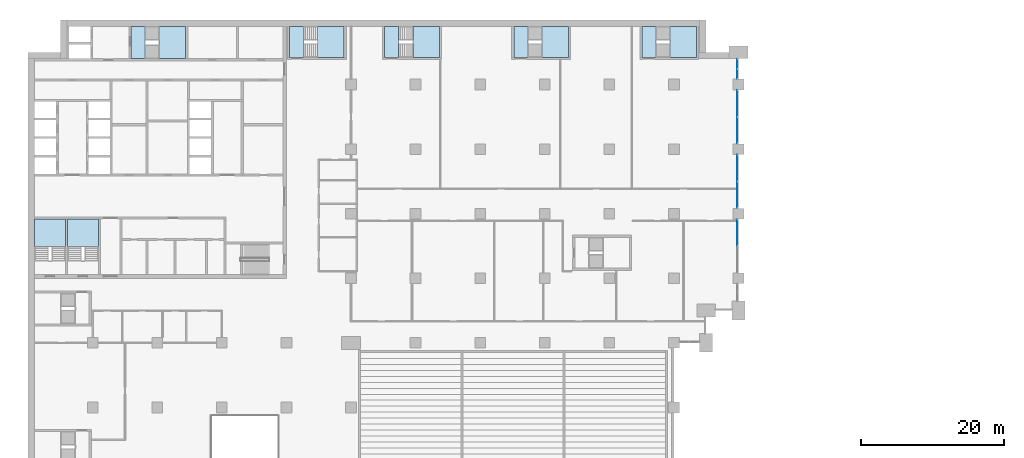
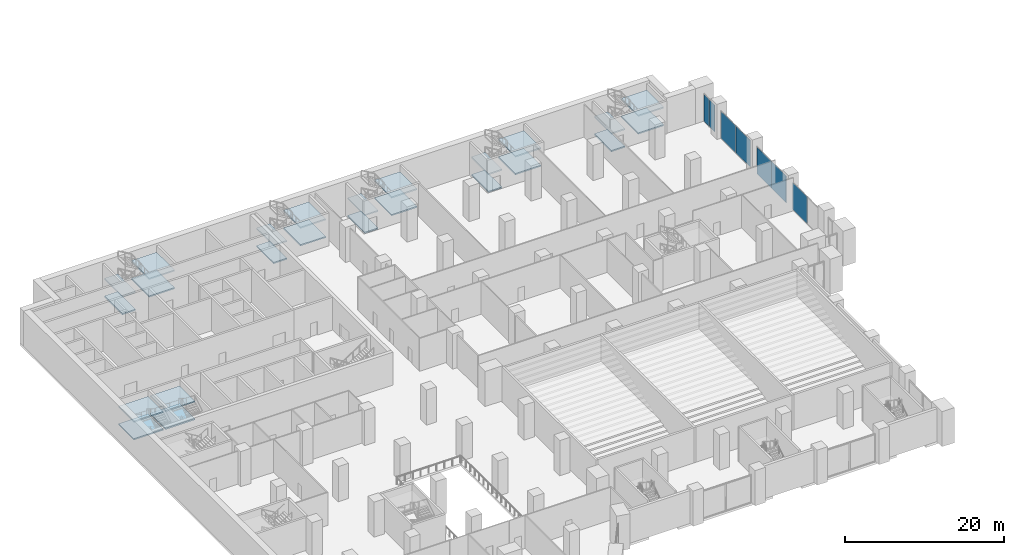
# One storey, part 13 of 44: 24 slabs, 7 plates, 11 elements without a shape of their own.
"""IFC4 building model written with IfcOpenShell, lengths in metres."""

from ifc_helpers import new_model, si_unit, direction, frame, origin, origin_2d, place, context, subcontext, project, spatial, polyline, rectangle, outline, extrude, material, layer, layer_set, type_object, element, aggregate, save


model = new_model("IFC4")

# Units and contexts
model_context = context("Model", 3, precision=1e-05, world=origin(), true_north=direction((0.0, 1.0)))
body_context = subcontext(model_context, "Body", "Model", "MODEL_VIEW")
ifc_project = project(units=[si_unit("LENGTHUNIT", "METRE"), si_unit("AREAUNIT", "SQUARE_METRE"), si_unit("VOLUMEUNIT", "CUBIC_METRE"), si_unit("PLANEANGLEUNIT", "RADIAN"), si_unit("MASSUNIT", "GRAM", prefix="KILO")], contexts=[model_context])

# Site, building, storey
site_placement = place(None, origin())
site = spatial("IfcSite", under=ifc_project, at=site_placement, CompositionType="ELEMENT")
building_placement = place(site_placement, origin())
building = spatial("IfcBuilding", under=site, at=building_placement, Name="Hunhe Ridgeline Campus", CompositionType="ELEMENT")
storey_placement = place(building_placement, frame((0.0, 0.0, 6.0)))
storey = spatial("IfcBuildingStorey", under=building, at=storey_placement, Name="L01", CompositionType="ELEMENT", Elevation=6.0)

# Curtain wall, plate
ifc_material_1 = material(Name="Aluminium and glass", Category="aluminium")
curtain_wall_type = type_object("IfcCurtainWallType", Name="Podium curtain wall CW-2", PredefinedType="NOTDEFINED", material=ifc_material_1)
curtain_wall_1_placement = place(storey_placement, origin())
curtain_wall_1 = element("IfcCurtainWall", 1, at=curtain_wall_1_placement, inside=storey, type_object=curtain_wall_type, Name="L01 podium curtain wall 5", PredefinedType="NOTDEFINED")
ifc_material_2 = material(Name="Clear glass", Category="glass")
ifc_layer_1 = layer(ifc_material_2, 0.028076171875)
ifc_layer_set_1 = layer_set([ifc_layer_1], Name="CW-2 clear glass panel 28")
plate_type = type_object("IfcPlateType", Name="CW-2 clear glass panel 28", PredefinedType="CURTAIN_PANEL", material=ifc_layer_set_1)
plate_1_placement = place(storey_placement, frame((98.85009765625, 69.360107421875, 0.06005859375), z_axis=(0.0, 0.0, 1.0), x_axis=(0.0, 1.0, 0.0)))
plate_1 = element("IfcPlate", 2, at=plate_1_placement, type_object=plate_type, Name="CW2 panel 2.1", PredefinedType="CURTAIN_PANEL", context=body_context, shape_type="SweptSolid", body=[
    extrude(rectangle(XDim=3.659912109375, YDim=0.028076171875, at=origin_2d()), origin(), (0.0, 0.0, 1.0), 4.1298828125),
])
aggregate(curtain_wall_1, [plate_1])

# Curtain wall, plates
curtain_wall_2_placement = place(storey_placement, origin())
curtain_wall_2 = element("IfcCurtainWall", 3, at=curtain_wall_2_placement, inside=storey, type_object=curtain_wall_type, Name="L01 podium curtain wall 6", PredefinedType="NOTDEFINED")
plate_2_placement = place(storey_placement, frame((98.85009765625, 74.639892578125, 0.06005859375), z_axis=(0.0, 0.0, 1.0), x_axis=(0.0, 1.0, 0.0)))
plate_2 = element("IfcPlate", 4, at=plate_2_placement, type_object=plate_type, Name="CW2 panel 1.1", PredefinedType="CURTAIN_PANEL", context=body_context, shape_type="SweptSolid", body=[
    extrude(rectangle(XDim=3.659912109375, YDim=0.028076171875, at=origin_2d()), origin(), (0.0, 0.0, 1.0), 4.1298828125),
])
plate_3_placement = place(storey_placement, frame((98.85009765625, 78.360107421875, 0.06005859375), z_axis=(0.0, 0.0, 1.0), x_axis=(0.0, 1.0, 0.0)))
plate_3 = element("IfcPlate", 5, at=plate_3_placement, type_object=plate_type, Name="CW2 panel 2.1", PredefinedType="CURTAIN_PANEL", context=body_context, shape_type="SweptSolid", body=[
    extrude(rectangle(XDim=3.659912109375, YDim=0.028076171875, at=origin_2d()), origin(), (0.0, 0.0, 1.0), 4.1298828125),
])
aggregate(curtain_wall_2, [plate_2, plate_3])

curtain_wall_3_placement = place(storey_placement, origin())
curtain_wall_3 = element("IfcCurtainWall", 6, at=curtain_wall_3_placement, inside=storey, type_object=curtain_wall_type, Name="L01 podium curtain wall 7", PredefinedType="NOTDEFINED")
plate_4_placement = place(storey_placement, frame((98.85009765625, 83.639892578125, 0.06005859375), z_axis=(0.0, 0.0, 1.0), x_axis=(0.0, 1.0, 0.0)))
plate_4 = element("IfcPlate", 7, at=plate_4_placement, type_object=plate_type, Name="CW2 panel 1.1", PredefinedType="CURTAIN_PANEL", context=body_context, shape_type="SweptSolid", body=[
    extrude(rectangle(XDim=3.659912109375, YDim=0.028076171875, at=origin_2d()), origin(), (0.0, 0.0, 1.0), 4.1298828125),
])
plate_5_placement = place(storey_placement, frame((98.85009765625, 87.360107421875, 0.06005859375), z_axis=(0.0, 0.0, 1.0), x_axis=(0.0, 1.0, 0.0)))
plate_5 = element("IfcPlate", 8, at=plate_5_placement, type_object=plate_type, Name="CW2 panel 2.1", PredefinedType="CURTAIN_PANEL", context=body_context, shape_type="SweptSolid", body=[
    extrude(rectangle(XDim=3.659912109375, YDim=0.028076171875, at=origin_2d()), origin(), (0.0, 0.0, 1.0), 4.1298828125),
])
aggregate(curtain_wall_3, [plate_4, plate_5])

curtain_wall_4_placement = place(storey_placement, origin())
curtain_wall_4 = element("IfcCurtainWall", 9, at=curtain_wall_4_placement, inside=storey, type_object=curtain_wall_type, Name="L01 podium curtain wall 8", PredefinedType="NOTDEFINED")
plate_6_placement = place(storey_placement, frame((98.85009765625, 91.4775390625, 0.06005859375), z_axis=(0.0, 0.0, 1.0), x_axis=(0.0, 1.0, 0.0)))
plate_6 = element("IfcPlate", 10, at=plate_6_placement, type_object=plate_type, Name="CW2 panel 1.1", PredefinedType="CURTAIN_PANEL", context=body_context, shape_type="SweptSolid", body=[
    extrude(rectangle(XDim=1.3349609375, YDim=0.028076171875, at=origin_2d()), origin(), (0.0, 0.0, 1.0), 4.1298828125),
])
plate_7_placement = place(storey_placement, frame((98.85009765625, 92.87255859375, 0.06005859375), z_axis=(0.0, 0.0, 1.0), x_axis=(0.0, 1.0, 0.0)))
plate_7 = element("IfcPlate", 11, at=plate_7_placement, type_object=plate_type, Name="CW2 panel 2.1", PredefinedType="CURTAIN_PANEL", context=body_context, shape_type="SweptSolid", body=[
    extrude(rectangle(XDim=1.3349609375, YDim=0.028076171875, at=origin_2d()), origin(), (0.0, 0.0, 1.0), 4.1298828125),
])
aggregate(curtain_wall_4, [plate_6, plate_7])

# Stair, slabs
ifc_material_3 = material(Name="Concrete C40", Category="concrete")
stair_type = type_object("IfcStairType", Name="Reinforced concrete dog-leg stair 1950 Concrete C40", PredefinedType="HALF_TURN_STAIR", material=ifc_material_3)
stair_1_placement = place(storey_placement, origin())
stair_1 = element("IfcStair", 12, at=stair_1_placement, inside=storey, type_object=stair_type, Name="L01 S1", PredefinedType="HALF_TURN_STAIR")
ifc_layer_2 = layer(ifc_material_3, 0.199951171875)
ifc_layer_set_2 = layer_set([ifc_layer_2], Name="Reinforced concrete stair landing 200 Concrete C40")
slab_type = type_object("IfcSlabType", Name="Reinforced concrete stair landing 200 Concrete C40", PredefinedType="LANDING", material=ifc_layer_set_2)
slab_1_placement = place(storey_placement, frame((0.0, 0.0, 1.14990234375)))
slab_1 = element("IfcSlab", 13, at=slab_1_placement, type_object=slab_type, Name="ST1 landing 1", PredefinedType="LANDING", context=body_context, shape_type="SweptSolid", body=[
    extrude(outline(polyline([(18.260009765625, 93.60009765625), (21.949951171875, 93.60009765625), (21.949951171875, 98.10009765625), (18.260009765625, 98.10009765625), (18.260009765625, 93.60009765625)])), origin(), (0.0, 0.0, 1.0), 0.2001953125),
])
slab_2_placement = place(storey_placement, frame((0.0, 0.0, 2.5)))
slab_2 = element("IfcSlab", 14, at=slab_2_placement, type_object=slab_type, Name="ST1 landing 2", PredefinedType="LANDING", context=body_context, shape_type="SweptSolid", body=[
    extrude(outline(polyline([(14.35009765625, 93.60009765625), (16.300048828125, 93.60009765625), (16.300048828125, 98.10009765625), (14.35009765625, 98.10009765625), (14.35009765625, 93.60009765625)])), origin(), (0.0, 0.0, 1.0), 0.199951171875),
])
slab_3_placement = place(storey_placement, frame((0.0, 0.0, 3.85009765625)))
slab_3 = element("IfcSlab", 15, at=slab_3_placement, type_object=slab_type, Name="ST1 landing 3", PredefinedType="LANDING", context=body_context, shape_type="SweptSolid", body=[
    extrude(outline(polyline([(18.260009765625, 93.60009765625), (21.949951171875, 93.60009765625), (21.949951171875, 98.10009765625), (18.260009765625, 98.10009765625), (18.260009765625, 93.60009765625)])), origin(), (0.0, 0.0, 1.0), 0.199951171875),
])
aggregate(stair_1, [slab_1, slab_2, slab_3])

# Slab
slab_4_placement = place(storey_placement, frame((0.0, 0.0, -0.199951171875)))
element("IfcSlab", 16, at=slab_4_placement, inside=storey, type_object=slab_type, Name="L01 stair S1 floor landing", PredefinedType="LANDING", context=body_context, shape_type="SweptSolid", body=[
    extrude(outline(polyline([(14.35009765625, 93.60009765625), (16.300048828125, 93.60009765625), (16.300048828125, 98.10009765625), (14.35009765625, 98.10009765625), (14.35009765625, 93.60009765625)])), origin(), (0.0, 0.0, 1.0), 0.199951171875),
])

# Stair, slabs
stair_2_placement = place(storey_placement, origin())
stair_2 = element("IfcStair", 17, at=stair_2_placement, inside=storey, type_object=stair_type, Name="L01 S3", PredefinedType="HALF_TURN_STAIR")
slab_5_placement = place(storey_placement, frame((0.0, 0.0, 1.14990234375)))
slab_5 = element("IfcSlab", 18, at=slab_5_placement, type_object=slab_type, Name="ST3 landing 1", PredefinedType="LANDING", context=body_context, shape_type="SweptSolid", body=[
    extrude(outline(polyline([(5.199951171875, 67.409912109375), (5.199951171875, 71.25), (0.89990234375, 71.25), (0.89990234375, 67.409912109375), (5.199951171875, 67.409912109375)])), origin(), (0.0, 0.0, 1.0), 0.2001953125),
])
slab_6_placement = place(storey_placement, frame((0.0, 0.0, 3.85009765625)))
slab_6 = element("IfcSlab", 19, at=slab_6_placement, type_object=slab_type, Name="ST3 landing 3", PredefinedType="LANDING", context=body_context, shape_type="SweptSolid", body=[
    extrude(outline(polyline([(5.199951171875, 67.409912109375), (5.199951171875, 71.25), (0.89990234375, 71.25), (0.89990234375, 67.409912109375), (5.199951171875, 67.409912109375)])), origin(), (0.0, 0.0, 1.0), 0.199951171875),
])
aggregate(stair_2, [slab_5, slab_6])

stair_3_placement = place(storey_placement, origin())
stair_3 = element("IfcStair", 20, at=stair_3_placement, inside=storey, type_object=stair_type, Name="L01 S4", PredefinedType="HALF_TURN_STAIR")
slab_7_placement = place(storey_placement, frame((0.0, 0.0, 1.14990234375)))
slab_7 = element("IfcSlab", 21, at=slab_7_placement, type_object=slab_type, Name="ST4 landing 1", PredefinedType="LANDING", context=body_context, shape_type="SweptSolid", body=[
    extrude(outline(polyline([(9.800048828125, 67.409912109375), (9.800048828125, 71.25), (5.5, 71.25), (5.5, 67.409912109375), (9.800048828125, 67.409912109375)])), origin(), (0.0, 0.0, 1.0), 0.2001953125),
])
slab_8_placement = place(storey_placement, frame((0.0, 0.0, 3.85009765625)))
slab_8 = element("IfcSlab", 22, at=slab_8_placement, type_object=slab_type, Name="ST4 landing 3", PredefinedType="LANDING", context=body_context, shape_type="SweptSolid", body=[
    extrude(outline(polyline([(9.800048828125, 67.409912109375), (9.800048828125, 71.25), (5.5, 71.25), (5.5, 67.409912109375), (9.800048828125, 67.409912109375)])), origin(), (0.0, 0.0, 1.0), 0.199951171875),
])
aggregate(stair_3, [slab_7, slab_8])

stair_4_placement = place(storey_placement, origin())
stair_4 = element("IfcStair", 23, at=stair_4_placement, inside=storey, type_object=stair_type, Name="L01 E1", PredefinedType="HALF_TURN_STAIR")
slab_9_placement = place(storey_placement, frame((0.0, 0.0, 1.14990234375)))
slab_9 = element("IfcSlab", 24, at=slab_9_placement, type_object=slab_type, Name="ST5 landing 1", PredefinedType="LANDING", context=body_context, shape_type="SweptSolid", body=[
    extrude(outline(polyline([(40.360107421875, 93.800048828125), (44.050048828125, 93.800048828125), (44.050048828125, 98.10009765625), (40.360107421875, 98.10009765625), (40.360107421875, 93.800048828125)])), origin(), (0.0, 0.0, 1.0), 0.2001953125),
])
slab_10_placement = place(storey_placement, frame((0.0, 0.0, 2.5)))
slab_10 = element("IfcSlab", 25, at=slab_10_placement, type_object=slab_type, Name="ST5 landing 2", PredefinedType="LANDING", context=body_context, shape_type="SweptSolid", body=[
    extrude(outline(polyline([(36.449951171875, 93.800048828125), (38.39990234375, 93.800048828125), (38.39990234375, 98.10009765625), (36.449951171875, 98.10009765625), (36.449951171875, 93.800048828125)])), origin(), (0.0, 0.0, 1.0), 0.199951171875),
])
slab_11_placement = place(storey_placement, frame((0.0, 0.0, 3.85009765625)))
slab_11 = element("IfcSlab", 26, at=slab_11_placement, type_object=slab_type, Name="ST5 landing 3", PredefinedType="LANDING", context=body_context, shape_type="SweptSolid", body=[
    extrude(outline(polyline([(40.360107421875, 93.800048828125), (44.050048828125, 93.800048828125), (44.050048828125, 98.10009765625), (40.360107421875, 98.10009765625), (40.360107421875, 93.800048828125)])), origin(), (0.0, 0.0, 1.0), 0.199951171875),
])
aggregate(stair_4, [slab_9, slab_10, slab_11])

# Slab
slab_12_placement = place(storey_placement, frame((0.0, 0.0, -0.199951171875)))
element("IfcSlab", 27, at=slab_12_placement, inside=storey, type_object=slab_type, Name="L01 stair E1 floor landing", PredefinedType="LANDING", context=body_context, shape_type="SweptSolid", body=[
    extrude(outline(polyline([(36.449951171875, 93.800048828125), (38.39990234375, 93.800048828125), (38.39990234375, 98.10009765625), (36.449951171875, 98.10009765625), (36.449951171875, 93.800048828125)])), origin(), (0.0, 0.0, 1.0), 0.199951171875),
])

# Stair, slabs
stair_5_placement = place(storey_placement, origin())
stair_5 = element("IfcStair", 28, at=stair_5_placement, inside=storey, type_object=stair_type, Name="L01 E2", PredefinedType="HALF_TURN_STAIR")
slab_13_placement = place(storey_placement, frame((0.0, 0.0, 1.14990234375)))
slab_13 = element("IfcSlab", 29, at=slab_13_placement, type_object=slab_type, Name="ST6 landing 1", PredefinedType="LANDING", context=body_context, shape_type="SweptSolid", body=[
    extrude(outline(polyline([(53.610107421875, 93.800048828125), (57.300048828125, 93.800048828125), (57.300048828125, 98.10009765625), (53.610107421875, 98.10009765625), (53.610107421875, 93.800048828125)])), origin(), (0.0, 0.0, 1.0), 0.2001953125),
])
slab_14_placement = place(storey_placement, frame((0.0, 0.0, 2.5)))
slab_14 = element("IfcSlab", 30, at=slab_14_placement, type_object=slab_type, Name="ST6 landing 2", PredefinedType="LANDING", context=body_context, shape_type="SweptSolid", body=[
    extrude(outline(polyline([(49.699951171875, 93.800048828125), (51.64990234375, 93.800048828125), (51.64990234375, 98.10009765625), (49.699951171875, 98.10009765625), (49.699951171875, 93.800048828125)])), origin(), (0.0, 0.0, 1.0), 0.199951171875),
])
slab_15_placement = place(storey_placement, frame((0.0, 0.0, 3.85009765625)))
slab_15 = element("IfcSlab", 31, at=slab_15_placement, type_object=slab_type, Name="ST6 landing 3", PredefinedType="LANDING", context=body_context, shape_type="SweptSolid", body=[
    extrude(outline(polyline([(53.610107421875, 93.800048828125), (57.300048828125, 93.800048828125), (57.300048828125, 98.10009765625), (53.610107421875, 98.10009765625), (53.610107421875, 93.800048828125)])), origin(), (0.0, 0.0, 1.0), 0.199951171875),
])
aggregate(stair_5, [slab_13, slab_14, slab_15])

# Slab
slab_16_placement = place(storey_placement, frame((0.0, 0.0, -0.199951171875)))
element("IfcSlab", 32, at=slab_16_placement, inside=storey, type_object=slab_type, Name="L01 stair E2 floor landing", PredefinedType="LANDING", context=body_context, shape_type="SweptSolid", body=[
    extrude(outline(polyline([(49.699951171875, 93.800048828125), (51.64990234375, 93.800048828125), (51.64990234375, 98.10009765625), (49.699951171875, 98.10009765625), (49.699951171875, 93.800048828125)])), origin(), (0.0, 0.0, 1.0), 0.199951171875),
])

# Stair, slabs
stair_6_placement = place(storey_placement, origin())
stair_6 = element("IfcStair", 33, at=stair_6_placement, inside=storey, type_object=stair_type, Name="L01 E3", PredefinedType="HALF_TURN_STAIR")
slab_17_placement = place(storey_placement, frame((0.0, 0.0, 1.14990234375)))
slab_17 = element("IfcSlab", 34, at=slab_17_placement, type_object=slab_type, Name="ST7 landing 1", PredefinedType="LANDING", context=body_context, shape_type="SweptSolid", body=[
    extrude(outline(polyline([(71.610107421875, 93.800048828125), (75.300048828125, 93.800048828125), (75.300048828125, 98.10009765625), (71.610107421875, 98.10009765625), (71.610107421875, 93.800048828125)])), origin(), (0.0, 0.0, 1.0), 0.2001953125),
])
slab_18_placement = place(storey_placement, frame((0.0, 0.0, 2.5)))
slab_18 = element("IfcSlab", 35, at=slab_18_placement, type_object=slab_type, Name="ST7 landing 2", PredefinedType="LANDING", context=body_context, shape_type="SweptSolid", body=[
    extrude(outline(polyline([(67.699951171875, 93.800048828125), (69.64990234375, 93.800048828125), (69.64990234375, 98.10009765625), (67.699951171875, 98.10009765625), (67.699951171875, 93.800048828125)])), origin(), (0.0, 0.0, 1.0), 0.199951171875),
])
slab_19_placement = place(storey_placement, frame((0.0, 0.0, 3.85009765625)))
slab_19 = element("IfcSlab", 36, at=slab_19_placement, type_object=slab_type, Name="ST7 landing 3", PredefinedType="LANDING", context=body_context, shape_type="SweptSolid", body=[
    extrude(outline(polyline([(71.610107421875, 93.800048828125), (75.300048828125, 93.800048828125), (75.300048828125, 98.10009765625), (71.610107421875, 98.10009765625), (71.610107421875, 93.800048828125)])), origin(), (0.0, 0.0, 1.0), 0.199951171875),
])
aggregate(stair_6, [slab_17, slab_18, slab_19])

# Slab
slab_20_placement = place(storey_placement, frame((0.0, 0.0, -0.199951171875)))
element("IfcSlab", 37, at=slab_20_placement, inside=storey, type_object=slab_type, Name="L01 stair E3 floor landing", PredefinedType="LANDING", context=body_context, shape_type="SweptSolid", body=[
    extrude(outline(polyline([(67.699951171875, 93.800048828125), (69.64990234375, 93.800048828125), (69.64990234375, 98.10009765625), (67.699951171875, 98.10009765625), (67.699951171875, 93.800048828125)])), origin(), (0.0, 0.0, 1.0), 0.199951171875),
])

# Stair, slabs
stair_7_placement = place(storey_placement, origin())
stair_7 = element("IfcStair", 38, at=stair_7_placement, inside=storey, type_object=stair_type, Name="L01 E4", PredefinedType="HALF_TURN_STAIR")
slab_21_placement = place(storey_placement, frame((0.0, 0.0, 1.14990234375)))
slab_21 = element("IfcSlab", 39, at=slab_21_placement, type_object=slab_type, Name="ST8 landing 1", PredefinedType="LANDING", context=body_context, shape_type="SweptSolid", body=[
    extrude(outline(polyline([(89.4599609375, 93.800048828125), (93.14990234375, 93.800048828125), (93.14990234375, 98.10009765625), (89.4599609375, 98.10009765625), (89.4599609375, 93.800048828125)])), origin(), (0.0, 0.0, 1.0), 0.2001953125),
])
slab_22_placement = place(storey_placement, frame((0.0, 0.0, 2.5)))
slab_22 = element("IfcSlab", 40, at=slab_22_placement, type_object=slab_type, Name="ST8 landing 2", PredefinedType="LANDING", context=body_context, shape_type="SweptSolid", body=[
    extrude(outline(polyline([(85.550048828125, 93.800048828125), (87.5, 93.800048828125), (87.5, 98.10009765625), (85.550048828125, 98.10009765625), (85.550048828125, 93.800048828125)])), origin(), (0.0, 0.0, 1.0), 0.199951171875),
])
slab_23_placement = place(storey_placement, frame((0.0, 0.0, 3.85009765625)))
slab_23 = element("IfcSlab", 41, at=slab_23_placement, type_object=slab_type, Name="ST8 landing 3", PredefinedType="LANDING", context=body_context, shape_type="SweptSolid", body=[
    extrude(outline(polyline([(89.4599609375, 93.800048828125), (93.14990234375, 93.800048828125), (93.14990234375, 98.10009765625), (89.4599609375, 98.10009765625), (89.4599609375, 93.800048828125)])), origin(), (0.0, 0.0, 1.0), 0.199951171875),
])
aggregate(stair_7, [slab_21, slab_22, slab_23])

# Slab
slab_24_placement = place(storey_placement, frame((0.0, 0.0, -0.199951171875)))
element("IfcSlab", 42, at=slab_24_placement, inside=storey, type_object=slab_type, Name="L01 stair E4 floor landing", PredefinedType="LANDING", context=body_context, shape_type="SweptSolid", body=[
    extrude(outline(polyline([(85.550048828125, 93.800048828125), (87.5, 93.800048828125), (87.5, 98.10009765625), (85.550048828125, 98.10009765625), (85.550048828125, 93.800048828125)])), origin(), (0.0, 0.0, 1.0), 0.199951171875),
])

save(model, "model.ifc")
